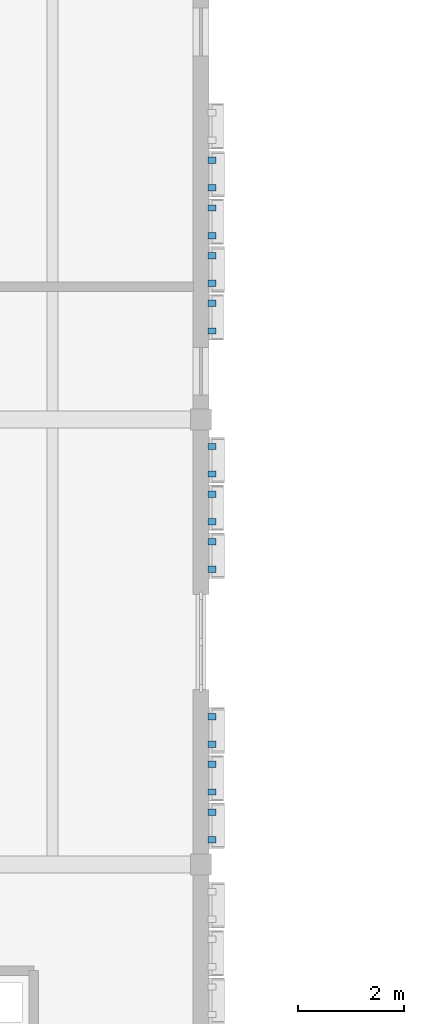
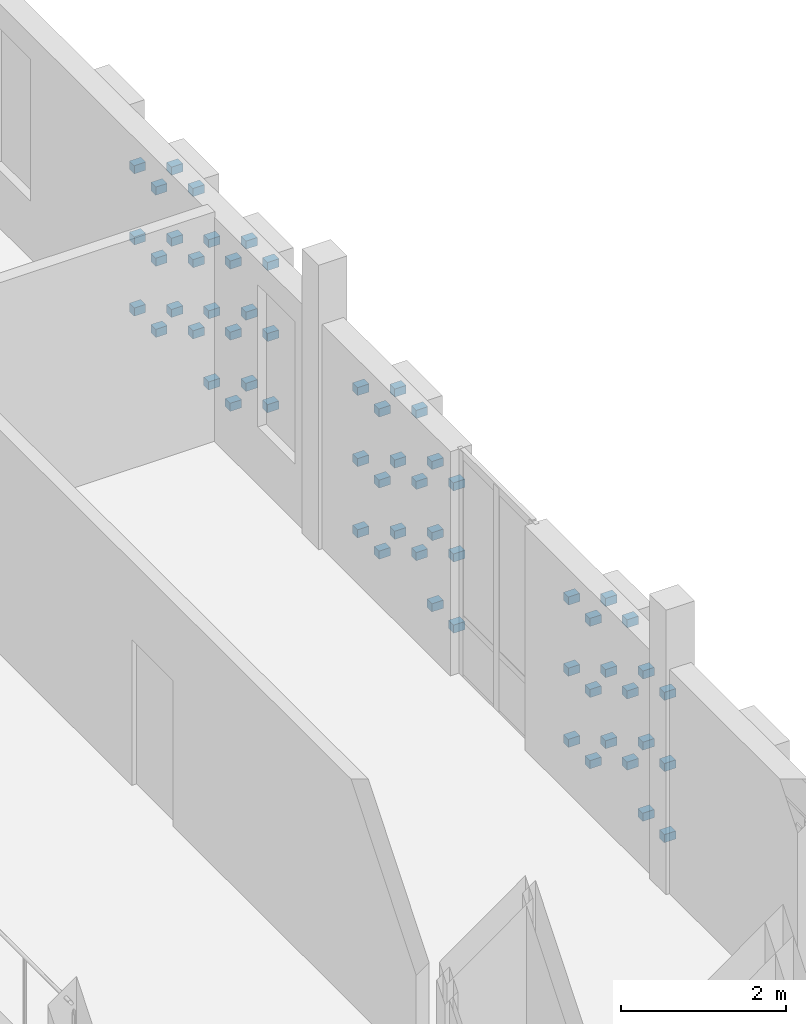
# One storey, part 70 of 81: 60 discrete accessories.
"""IFC4 building model written with IfcOpenShell, lengths in metres."""

from ifc_helpers import new_model, si_unit, direction, frame, origin, origin_2d, place, context, subcontext, project, spatial, rectangle, extrude, material, type_object, element, save


model = new_model("IFC4")

# Units and contexts
model_context = context("Model", 3, precision=1e-05, world=origin(), true_north=direction((0.0, 1.0)))
body_context = subcontext(model_context, "Body", "Model", "MODEL_VIEW")
ifc_project = project(units=[si_unit("LENGTHUNIT", "METRE"), si_unit("AREAUNIT", "SQUARE_METRE"), si_unit("VOLUMEUNIT", "CUBIC_METRE"), si_unit("PLANEANGLEUNIT", "RADIAN"), si_unit("MASSUNIT", "GRAM", prefix="KILO")], contexts=[model_context])

# Site, building, storey
site_placement = place(None, origin())
site = spatial("IfcSite", under=ifc_project, at=site_placement, CompositionType="ELEMENT")
building_placement = place(site_placement, origin())
building = spatial("IfcBuilding", under=site, at=building_placement, Name="Kahlenmark Community Centre", CompositionType="ELEMENT")
storey_placement = place(building_placement, frame((0.0, 0.0, 9.60009765625)))
storey = spatial("IfcBuildingStorey", under=building, at=storey_placement, Name="L02", CompositionType="ELEMENT", Elevation=9.60009765625)

# Discrete accessories
ifc_material = material(Name="Stainless steel 1.4401 rainscreen bracket", Category="steel")
discrete_accessory_type = type_object("IfcDiscreteAccessoryType", Name="DAT-BRACKET-TC", PredefinedType="BRACKET", material=ifc_material)
for number, where, z_axis, x_axis, name in (
    (1, (37.81005859375, 59.669921875, 0.2822265625), (0.0, 0.0, 1.0), (0.0, 1.0, 0.0), "Terracotta cassette bracket 2695.1"),
    (2, (37.81005859375, 60.18994140625, 0.2822265625), (0.0, 0.0, 1.0), (0.0, 1.0, 0.0), "Terracotta cassette bracket 2695.2"),
    (3, (37.81005859375, 59.669921875, 1.332275390625), (0.0, 0.0, 1.0), (0.0, 1.0, 0.0), "Terracotta cassette bracket 2697.1"),
    (4, (37.81005859375, 60.18994140625, 1.332275390625), (0.0, 0.0, 1.0), (0.0, 1.0, 0.0), "Terracotta cassette bracket 2697.2"),
    (5, (37.81005859375, 59.669921875, 2.38232421875), (0.0, 0.0, 1.0), (0.0, 1.0, 0.0), "Terracotta cassette bracket 2699.1"),
    (6, (37.81005859375, 60.18994140625, 2.38232421875), (0.0, 0.0, 1.0), (0.0, 1.0, 0.0), "Terracotta cassette bracket 2699.2"),
    (7, (37.81005859375, 60.570068359375, 0.807373046875), (0.0, 0.0, 1.0), (0.0, 1.0, 0.0), "Terracotta cassette bracket 2702.1"),
    (8, (37.81005859375, 61.090087890625, 0.807373046875), (0.0, 0.0, 1.0), (0.0, 1.0, 0.0), "Terracotta cassette bracket 2702.2"),
    (9, (37.81005859375, 60.570068359375, 1.857421875), (0.0, 0.0, 1.0), (0.0, 1.0, 0.0), "Terracotta cassette bracket 2704.1"),
    (10, (37.81005859375, 61.090087890625, 1.857421875), (0.0, 0.0, 1.0), (0.0, 1.0, 0.0), "Terracotta cassette bracket 2704.2"),
    (11, (37.81005859375, 60.570068359375, 2.9072265625), (0.0, 0.0, 1.0), (0.0, 1.0, 0.0), "Terracotta cassette bracket 2706.1"),
    (12, (37.81005859375, 61.090087890625, 2.9072265625), (0.0, 0.0, 1.0), (0.0, 1.0, 0.0), "Terracotta cassette bracket 2706.2"),
    (13, (37.81005859375, 61.469970703125, 0.2822265625), (0.0, 0.0, 1.0), (0.0, 1.0, 0.0), "Terracotta cassette bracket 2707.1"),
    (14, (37.81005859375, 61.989990234375, 0.2822265625), (0.0, 0.0, 1.0), (0.0, 1.0, 0.0), "Terracotta cassette bracket 2707.2"),
    (15, (37.81005859375, 61.469970703125, 1.332275390625), (0.0, 0.0, 1.0), (0.0, 1.0, 0.0), "Terracotta cassette bracket 2709.1"),
    (16, (37.81005859375, 61.989990234375, 1.332275390625), (0.0, 0.0, 1.0), (0.0, 1.0, 0.0), "Terracotta cassette bracket 2709.2"),
    (17, (37.81005859375, 61.469970703125, 2.38232421875), (0.0, 0.0, 1.0), (0.0, 1.0, 0.0), "Terracotta cassette bracket 2711.1"),
    (18, (37.81005859375, 61.989990234375, 2.38232421875), (0.0, 0.0, 1.0), (0.0, 1.0, 0.0), "Terracotta cassette bracket 2711.2"),
    (19, (37.81005859375, 64.77001953125, 0.2822265625), (0.0, 0.0, 1.0), (0.0, 1.0, 0.0), "Terracotta cassette bracket 2713.1"),
    (20, (37.81005859375, 65.2900390625, 0.2822265625), (0.0, 0.0, 1.0), (0.0, 1.0, 0.0), "Terracotta cassette bracket 2713.2"),
    (21, (37.81005859375, 64.77001953125, 1.332275390625), (0.0, 0.0, 1.0), (0.0, 1.0, 0.0), "Terracotta cassette bracket 2715.1"),
    (22, (37.81005859375, 65.2900390625, 1.332275390625), (0.0, 0.0, 1.0), (0.0, 1.0, 0.0), "Terracotta cassette bracket 2715.2"),
    (23, (37.81005859375, 64.77001953125, 2.38232421875), (0.0, 0.0, 1.0), (0.0, 1.0, 0.0), "Terracotta cassette bracket 2717.1"),
    (24, (37.81005859375, 65.2900390625, 2.38232421875), (0.0, 0.0, 1.0), (0.0, 1.0, 0.0), "Terracotta cassette bracket 2717.2"),
    (25, (37.81005859375, 65.669921875, 0.807373046875), (0.0, 0.0, 1.0), (0.0, 1.0, 0.0), "Terracotta cassette bracket 2720.1"),
    (26, (37.81005859375, 66.18994140625, 0.807373046875), (0.0, 0.0, 1.0), (0.0, 1.0, 0.0), "Terracotta cassette bracket 2720.2"),
    (27, (37.81005859375, 65.669921875, 1.857421875), (0.0, 0.0, 1.0), (0.0, 1.0, 0.0), "Terracotta cassette bracket 2722.1"),
    (28, (37.81005859375, 66.18994140625, 1.857421875), (0.0, 0.0, 1.0), (0.0, 1.0, 0.0), "Terracotta cassette bracket 2722.2"),
    (29, (37.81005859375, 65.669921875, 2.9072265625), (0.0, 0.0, 1.0), (0.0, 1.0, 0.0), "Terracotta cassette bracket 2724.1"),
    (30, (37.81005859375, 66.18994140625, 2.9072265625), (0.0, 0.0, 1.0), (0.0, 1.0, 0.0), "Terracotta cassette bracket 2724.2"),
    (31, (37.81005859375, 66.570068359375, 0.2822265625), (0.0, 0.0, 1.0), (0.0, 1.0, 0.0), "Terracotta cassette bracket 2725.1"),
    (32, (37.81005859375, 67.090087890625, 0.2822265625), (0.0, 0.0, 1.0), (0.0, 1.0, 0.0), "Terracotta cassette bracket 2725.2"),
    (33, (37.81005859375, 66.570068359375, 1.332275390625), (0.0, 0.0, 1.0), (0.0, 1.0, 0.0), "Terracotta cassette bracket 2727.1"),
    (34, (37.81005859375, 67.090087890625, 1.332275390625), (0.0, 0.0, 1.0), (0.0, 1.0, 0.0), "Terracotta cassette bracket 2727.2"),
    (35, (37.81005859375, 66.570068359375, 2.38232421875), (0.0, 0.0, 1.0), (0.0, 1.0, 0.0), "Terracotta cassette bracket 2729.1"),
    (36, (37.81005859375, 67.090087890625, 2.38232421875), (0.0, 0.0, 1.0), (0.0, 1.0, 0.0), "Terracotta cassette bracket 2729.2"),
    (37, (37.81005859375, 69.27001953125, 0.807373046875), (0.0, 0.0, 1.0), (0.0, 1.0, 0.0), "Terracotta cassette bracket 2732.1"),
    (38, (37.81005859375, 69.7900390625, 0.807373046875), (0.0, 0.0, 1.0), (0.0, 1.0, 0.0), "Terracotta cassette bracket 2732.2"),
    (39, (37.81005859375, 69.27001953125, 1.857421875), (0.0, 0.0, 1.0), (0.0, 1.0, 0.0), "Terracotta cassette bracket 2734.1"),
    (40, (37.81005859375, 69.7900390625, 1.857421875), (0.0, 0.0, 1.0), (0.0, 1.0, 0.0), "Terracotta cassette bracket 2734.2"),
    (41, (37.81005859375, 69.27001953125, 2.9072265625), (0.0, 0.0, 1.0), (0.0, 1.0, 0.0), "Terracotta cassette bracket 2736.1"),
    (42, (37.81005859375, 69.7900390625, 2.9072265625), (0.0, 0.0, 1.0), (0.0, 1.0, 0.0), "Terracotta cassette bracket 2736.2"),
    (43, (37.81005859375, 70.169921875, 0.2822265625), (0.0, 0.0, 1.0), (0.0, 1.0, 0.0), "Terracotta cassette bracket 2737.1"),
    (44, (37.81005859375, 70.68994140625, 0.2822265625), (0.0, 0.0, 1.0), (0.0, 1.0, 0.0), "Terracotta cassette bracket 2737.2"),
    (45, (37.81005859375, 70.169921875, 1.332275390625), (0.0, 0.0, 1.0), (0.0, 1.0, 0.0), "Terracotta cassette bracket 2739.1"),
    (46, (37.81005859375, 70.68994140625, 1.332275390625), (0.0, 0.0, 1.0), (0.0, 1.0, 0.0), "Terracotta cassette bracket 2739.2"),
    (47, (37.81005859375, 70.169921875, 2.38232421875), (0.0, 0.0, 1.0), (0.0, 1.0, 0.0), "Terracotta cassette bracket 2741.1"),
    (48, (37.81005859375, 70.68994140625, 2.38232421875), (0.0, 0.0, 1.0), (0.0, 1.0, 0.0), "Terracotta cassette bracket 2741.2"),
    (49, (37.81005859375, 71.070068359375, 0.807373046875), (0.0, 0.0, 1.0), (0.0, 1.0, 0.0), "Terracotta cassette bracket 2744.1"),
    (50, (37.81005859375, 71.590087890625, 0.807373046875), (0.0, 0.0, 1.0), (0.0, 1.0, 0.0), "Terracotta cassette bracket 2744.2"),
    (51, (37.81005859375, 71.070068359375, 1.857421875), (0.0, 0.0, 1.0), (0.0, 1.0, 0.0), "Terracotta cassette bracket 2746.1"),
    (52, (37.81005859375, 71.590087890625, 1.857421875), (0.0, 0.0, 1.0), (0.0, 1.0, 0.0), "Terracotta cassette bracket 2746.2"),
    (53, (37.81005859375, 71.070068359375, 2.9072265625), (0.0, 0.0, 1.0), (0.0, 1.0, 0.0), "Terracotta cassette bracket 2748.1"),
    (54, (37.81005859375, 71.590087890625, 2.9072265625), (0.0, 0.0, 1.0), (0.0, 1.0, 0.0), "Terracotta cassette bracket 2748.2"),
    (55, (37.81005859375, 71.969970703125, 0.2822265625), (0.0, 0.0, 1.0), (0.0, 1.0, 0.0), "Terracotta cassette bracket 2749.1"),
    (56, (37.81005859375, 72.489990234375, 0.2822265625), (0.0, 0.0, 1.0), (0.0, 1.0, 0.0), "Terracotta cassette bracket 2749.2"),
    (57, (37.81005859375, 71.969970703125, 1.332275390625), (0.0, 0.0, 1.0), (0.0, 1.0, 0.0), "Terracotta cassette bracket 2751.1"),
    (58, (37.81005859375, 72.489990234375, 1.332275390625), (0.0, 0.0, 1.0), (0.0, 1.0, 0.0), "Terracotta cassette bracket 2751.2"),
    (59, (37.81005859375, 71.969970703125, 2.38232421875), (0.0, 0.0, 1.0), (0.0, 1.0, 0.0), "Terracotta cassette bracket 2753.1"),
    (60, (37.81005859375, 72.489990234375, 2.38232421875), (0.0, 0.0, 1.0), (0.0, 1.0, 0.0), "Terracotta cassette bracket 2753.2"),
):
    element("IfcDiscreteAccessory", number, at=place(storey_placement, frame(where, z_axis=z_axis, x_axis=x_axis)), inside=storey, type_object=discrete_accessory_type, Name=name, PredefinedType="BRACKET", context=body_context, shape_type="SweptSolid", body=[
        extrude(rectangle(XDim=0.1201171875, YDim=0.159912109375, at=origin_2d()), origin(), (0.0, 0.0, 1.0), 0.1201171875),
    ])

save(model, "model.ifc")
